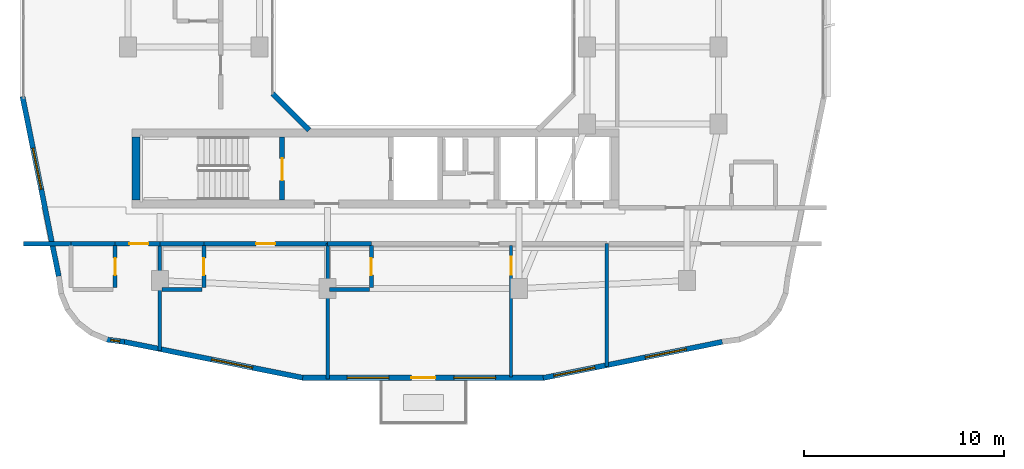
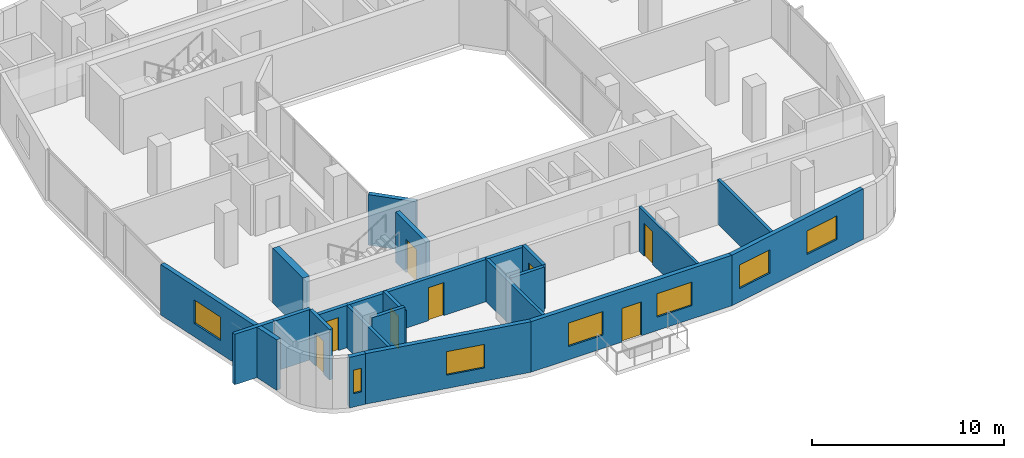
# One storey, part 5 of 13: 23 walls, 8 doors, 7 windows, 15 openings.
"""IFC4 building model written with IfcOpenShell, lengths in metres."""

from ifc_helpers import new_model, si_unit, derived_unit, direction, frame, frame_2d, origin, place, context, subcontext, project, spatial, rectangle, extrude, material, layer, layer_set, type_object, element, fill, save


model = new_model("IFC4")

# Units and contexts
model_context = context("Model", 3, precision=1e-05, world=origin(), true_north=direction((0.0, 1.0)))
body_context = subcontext(model_context, "Body", "Model", "MODEL_VIEW")
ifc_project = project(units=[si_unit("LENGTHUNIT", "METRE"), si_unit("AREAUNIT", "SQUARE_METRE"), si_unit("VOLUMEUNIT", "CUBIC_METRE"), si_unit("PLANEANGLEUNIT", "RADIAN"), si_unit("MASSUNIT", "GRAM", prefix="KILO"), derived_unit("THERMALTRANSMITTANCEUNIT", [(si_unit("POWERUNIT", "WATT"), 1), (si_unit("LENGTHUNIT", "METRE"), -2), (si_unit("THERMODYNAMICTEMPERATUREUNIT", "KELVIN"), -1)])], contexts=[model_context])

# Site, building, storey
site_placement = place(None, origin())
site = spatial("IfcSite", under=ifc_project, at=site_placement, CompositionType="ELEMENT")
building_placement = place(site_placement, origin())
building = spatial("IfcBuilding", under=site, at=building_placement, Name="Kivonza Crest Hotel", CompositionType="ELEMENT")
storey_placement = place(building_placement, frame((0.0, 0.0, 134.5)))
storey = spatial("IfcBuildingStorey", under=building, at=storey_placement, Name="L36", CompositionType="ELEMENT", Elevation=134.5)

# Walls
ifc_material_1 = material(Name="High-density acoustic masonry inter-tenancy wall", Category="masonry")
ifc_layer_1 = layer(ifc_material_1, 0.179931640625)
ifc_layer_set_1 = layer_set([ifc_layer_1], Name="High-density acoustic masonry inter-tenancy wall")
wall_type_1 = type_object("IfcWallType", Name="WL-ACOU-180", PredefinedType="SOLIDWALL", material=ifc_layer_set_1)
wall_1_placement = place(storey_placement, frame((7.800048828125, 6.299072265625, 0.0), z_axis=(0.0, 0.0, 1.0), x_axis=(0.0, 1.0, 0.0)))
element("IfcWall", 1, at=wall_1_placement, inside=storey, type_object=wall_type_1, Name="L36 interior partition WA-L36-T1S-DIV1", PredefinedType="SOLIDWALL", context=body_context, shape_type="SweptSolid", body=[
    extrude(rectangle(XDim=5.350830078125, YDim=0.179931640625, at=frame_2d((2.67529296875, 0.0))), origin(), (0.0, 0.0, 1.0), 2.695068359375),
])
wall_2_placement = place(storey_placement, frame((16.199951171875, 4.860107421875, 0.0), z_axis=(0.0, 0.0, 1.0), x_axis=(0.0, 1.0, 0.0)))
element("IfcWall", 2, at=wall_2_placement, inside=storey, type_object=wall_type_1, Name="L36 interior partition WA-L36-T1S-DIV2", PredefinedType="SOLIDWALL", context=body_context, shape_type="SweptSolid", body=[
    extrude(rectangle(XDim=6.789794921875, YDim=0.179931640625, at=frame_2d((3.39501953125, 0.0))), origin(), (0.0, 0.0, 1.0), 2.695068359375),
])
wall_3_placement = place(storey_placement, frame((30.199951171875, 5.492919921875, 0.0), z_axis=(0.0, 0.0, 1.0), x_axis=(0.0, 1.0, 0.0)))
element("IfcWall", 3, at=wall_3_placement, inside=storey, type_object=wall_type_1, Name="L36 interior partition WA-L36-T1S-DIV3", PredefinedType="SOLIDWALL", context=body_context, shape_type="SweptSolid", body=[
    extrude(rectangle(XDim=6.156982421875, YDim=0.179931640625, at=frame_2d((3.07861328125, 0.0))), origin(), (0.0, 0.0, 1.0), 2.8349609375),
])
ifc_material_2 = material(Name="Autoclaved aerated concrete blockwork", Category="masonry")
ifc_layer_2 = layer(ifc_material_2, 0.219970703125)
ifc_layer_set_2 = layer_set([ifc_layer_2], Name="Autoclaved aerated concrete blockwork")
wall_type_2 = type_object("IfcWallType", Name="WL-ACOU-220", PredefinedType="SOLIDWALL", material=ifc_layer_set_2)
wall_4_placement = place(storey_placement, frame((0.9599609375, 11.64990234375, 0.0), z_axis=(0.0, 0.0, 1.0), x_axis=(1.0, 0.0, 0.0)))
element("IfcWall", 4, at=wall_4_placement, inside=storey, type_object=wall_type_2, Name="L36 interior partition WA-L36-S04-XCORR", PredefinedType="SOLIDWALL", context=body_context, shape_type="SweptSolid", body=[
    extrude(rectangle(XDim=2.39013671875, YDim=0.219970703125, at=frame_2d((1.195068359375, 0.0))), origin(), (0.0, 0.0, 1.0), 3.219970703125),
])
wall_5_placement = place(storey_placement, frame((3.35009765625, 11.64990234375, 0.0), z_axis=(0.0, 0.0, 1.0), x_axis=(1.0, 0.0, 0.0)))
element("IfcWall", 5, at=wall_5_placement, inside=storey, type_object=wall_type_2, Name="L36 interior partition WA-L36-S04-BCORR", PredefinedType="SOLIDWALL", context=body_context, shape_type="SweptSolid", body=[
    extrude(rectangle(XDim=2.199951171875, YDim=0.219970703125, at=frame_2d((1.10009765625, 0.0))), origin(), (0.0, 0.0, 1.0), 3.219970703125),
])

# Wall, opening, door
wall_6_placement = place(storey_placement, frame((5.550048828125, 11.64990234375, 0.0), z_axis=(0.0, 0.0, 1.0), x_axis=(1.0, 0.0, 0.0)))
wall_6 = element("IfcWall", 6, at=wall_6_placement, inside=storey, type_object=wall_type_2, Name="L36 interior partition WA-L36-S04-MCORR", PredefinedType="SOLIDWALL", context=body_context, shape_type="SweptSolid", body=[
    extrude(rectangle(XDim=2.25, YDim=0.219970703125, at=frame_2d((1.125, 0.0))), origin(), (0.0, 0.0, 1.0), 2.695068359375),
])
opening_1_placement = place(wall_6_placement, frame((0.719970703125, 0.0, 0.0)))
opening_1 = element("IfcOpeningElement", 7, at=opening_1_placement, cuts=wall_6, Name="Opening DU-60", PredefinedType="OPENING", context=body_context, shape_type="SweptSolid", body=[
    extrude(rectangle(XDim=0.949951171875, YDim=2.10009765625, at=frame_2d((0.47509765625, 1.050048828125))), frame((0.0, 0.1201171875, 0.0), z_axis=(0.0, -1.0, 0.0), x_axis=(1.0, 0.0, 0.0)), (0.0, 0.0, 1.0), 0.239990234375),
])
ifc_material_3 = material(Name="Hardwood timber oak", Category="wood")
door_type_1 = type_object("IfcDoorType", Name="DR-UNIT-950", OperationType="NOTDEFINED", PredefinedType="DOOR", material=ifc_material_3)
door_1_placement = place(opening_1_placement, frame((0.949951171875, 0.0, 0.0), z_axis=(0.0, 0.0, 1.0), x_axis=(-1.0, 0.0, 0.0)))
door_1 = element("IfcDoor", 8, at=door_1_placement, inside=storey, type_object=door_type_1, Name="L36 S04 guest unit entrance fire door", OperationType="SINGLE_SWING_RIGHT", OverallHeight=2.10009765625, OverallWidth=0.949951171875, PredefinedType="DOOR", context=body_context, shape_type="SweptSolid", body=[
    extrude(rectangle(XDim=0.949951171875, YDim=2.10009765625, at=frame_2d((0.47509765625, 1.050048828125))), frame((0.0, 0.02490234375, 0.0), z_axis=(0.0, -1.0, 0.0), x_axis=(1.0, 0.0, 0.0)), (0.0, 0.0, 1.0), 0.050048828125),
])
fill(opening_1, door_1)

# Wall
wall_7_placement = place(storey_placement, frame((7.800048828125, 11.64990234375, 0.0), z_axis=(0.0, 0.0, 1.0), x_axis=(1.0, 0.0, 0.0)))
element("IfcWall", 9, at=wall_7_placement, inside=storey, type_object=wall_type_2, Name="L36 interior partition WA-L36-S05-BCORR", PredefinedType="SOLIDWALL", context=body_context, shape_type="SweptSolid", body=[
    extrude(rectangle(XDim=2.199951171875, YDim=0.219970703125, at=frame_2d((1.10009765625, 0.0))), origin(), (0.0, 0.0, 1.0), 2.695068359375),
])

# Wall, opening, door
wall_8_placement = place(storey_placement, frame((10.0, 11.64990234375, 0.0), z_axis=(0.0, 0.0, 1.0), x_axis=(1.0, 0.0, 0.0)))
wall_8 = element("IfcWall", 10, at=wall_8_placement, inside=storey, type_object=wall_type_2, Name="L36 interior partition WA-L36-S05-MCORR", PredefinedType="SOLIDWALL", context=body_context, shape_type="SweptSolid", body=[
    extrude(rectangle(XDim=6.199951171875, YDim=0.219970703125, at=frame_2d((3.10009765625, 0.0))), origin(), (0.0, 0.0, 1.0), 2.695068359375),
])
opening_2_placement = place(wall_8_placement, frame((2.625, 0.0, 0.0)))
opening_2 = element("IfcOpeningElement", 11, at=opening_2_placement, cuts=wall_8, Name="Opening DU-60", PredefinedType="OPENING", context=body_context, shape_type="SweptSolid", body=[
    extrude(rectangle(XDim=0.949951171875, YDim=2.10009765625, at=frame_2d((0.47509765625, 1.050048828125))), frame((0.0, 0.1201171875, 0.0), z_axis=(0.0, -1.0, 0.0), x_axis=(1.0, 0.0, 0.0)), (0.0, 0.0, 1.0), 0.239990234375),
])
door_2_placement = place(opening_2_placement, frame((0.949951171875, 0.0, 0.0), z_axis=(0.0, 0.0, 1.0), x_axis=(-1.0, 0.0, 0.0)))
door_2 = element("IfcDoor", 12, at=door_2_placement, inside=storey, type_object=door_type_1, Name="L36 S05 guest unit entrance fire door", OperationType="SINGLE_SWING_LEFT", OverallHeight=2.10009765625, OverallWidth=0.949951171875, PredefinedType="DOOR", context=body_context, shape_type="SweptSolid", body=[
    extrude(rectangle(XDim=0.949951171875, YDim=2.10009765625, at=frame_2d((0.47509765625, 1.050048828125))), frame((0.0, 0.02490234375, 0.0), z_axis=(0.0, -1.0, 0.0), x_axis=(1.0, 0.0, 0.0)), (0.0, 0.0, 1.0), 0.050048828125),
])
fill(opening_2, door_2)

# Walls
wall_9_placement = place(storey_placement, frame((16.199951171875, 11.64990234375, 0.0), z_axis=(0.0, 0.0, 1.0), x_axis=(1.0, 0.0, 0.0)))
element("IfcWall", 13, at=wall_9_placement, inside=storey, type_object=wall_type_2, Name="L36 interior partition WA-L36-S06-BCORR", PredefinedType="SOLIDWALL", context=body_context, shape_type="SweptSolid", body=[
    extrude(rectangle(XDim=2.199951171875, YDim=0.219970703125, at=frame_2d((1.10009765625, 0.0))), origin(), (0.0, 0.0, 1.0), 2.695068359375),
])
ifc_material_4 = material(Name="Concrete C50/60", Category="concrete")
ifc_layer_3 = layer(ifc_material_4, 0.39990234375)
ifc_layer_set_3 = layer_set([ifc_layer_3], Name="Concrete C50/60")
wall_type_3 = type_object("IfcWallType", Name="WL-CORE-400", PredefinedType="SHEAR", material=ifc_layer_set_3)
wall_10_placement = place(storey_placement, frame((6.60009765625, 13.840087890625, 0.0), z_axis=(0.0, 0.0, 1.0), x_axis=(0.0, 1.0, 0.0)))
element("IfcWall", 14, at=wall_10_placement, inside=storey, type_object=wall_type_3, Name="Core wall T1-S West L36", PredefinedType="SHEAR", context=body_context, shape_type="SweptSolid", body=[
    extrude(rectangle(XDim=3.159912109375, YDim=0.39990234375, at=frame_2d((1.580078125, 0.0))), origin(), (0.0, 0.0, 1.0), 3.5),
])

# Wall, opening, window
ifc_material_5 = material(Name="Precast concrete C40/50", Category="concrete")
ifc_layer_4 = layer(ifc_material_5, 0.260009765625)
ifc_layer_set_4 = layer_set([ifc_layer_4], Name="Precast concrete C40/50")
wall_type_4 = type_object("IfcWallType", Name="WL-EXT-260", PredefinedType="STANDARD", material=ifc_layer_set_4)
wall_11_placement = place(storey_placement, frame((5.112060546875, 6.847900390625, 0.0), z_axis=(0.0, 0.0, 1.0), x_axis=(0.991487658083, -0.130200706103, 0.0)))
wall_11 = element("IfcWall", 15, at=wall_11_placement, inside=storey, type_object=wall_type_4, Name="L36 T1 exterior insulated wall 6", PredefinedType="STANDARD", context=body_context, shape_type="SweptSolid", body=[
    extrude(rectangle(XDim=0.920654296875, YDim=0.260009765625, at=frame_2d((0.46044921875, 0.0))), origin(), (0.0, 0.0, 1.0), 3.219970703125),
])
opening_3_placement = place(wall_11_placement, frame((0.235107421875, 0.0, 0.85009765625)))
opening_3 = element("IfcOpeningElement", 16, at=opening_3_placement, cuts=wall_11, Name="Opening WN-11", PredefinedType="OPENING", context=body_context, shape_type="SweptSolid", body=[
    extrude(rectangle(XDim=0.449951171875, YDim=1.5, at=frame_2d((0.22509765625, 0.75))), frame((0.0, 0.14013671875, 0.0), z_axis=(0.0, -1.0, 0.0), x_axis=(1.0, 0.0, 0.0)), (0.0, 0.0, 1.0), 0.280029296875),
])
ifc_material_6 = material(Name="Thermally broken bronze aluminium and low-E double glazing", Category="aluminium")
window_type_1 = type_object("IfcWindowType", Name="WN-045x150", PartitioningType="SINGLE_PANEL", PredefinedType="WINDOW", material=ifc_material_6)
window_1_placement = place(opening_3_placement, origin())
window_1 = element("IfcWindow", 17, at=window_1_placement, inside=storey, type_object=window_type_1, Name="L36 corner vision window 2", OverallHeight=1.5, OverallWidth=0.449951171875, PartitioningType="SINGLE_PANEL", PredefinedType="WINDOW", context=body_context, shape_type="SweptSolid", body=[
    extrude(rectangle(XDim=0.449951171875, YDim=1.5, at=frame_2d((0.22509765625, 0.75))), frame((0.0, 0.030029296875, 0.0), z_axis=(0.0, -1.0, 0.0), x_axis=(1.0, 0.0, 0.0)), (0.0, 0.0, 1.0), 0.06005859375),
])
fill(opening_3, window_1)

wall_12_placement = place(storey_placement, frame((6.01806640625, 6.72900390625, 0.0), z_axis=(0.0, 0.0, 1.0), x_axis=(0.980317172899, -0.197429077186, 0.0)))
wall_12 = element("IfcWall", 18, at=wall_12_placement, inside=storey, type_object=wall_type_4, Name="L36 T1 exterior insulated wall 7", PredefinedType="STANDARD", context=body_context, shape_type="SweptSolid", body=[
    extrude(rectangle(XDim=9.117431640625, YDim=0.260009765625, at=frame_2d((4.55859375, 0.0))), origin(), (0.0, 0.0, 1.0), 3.219970703125),
])
opening_4_placement = place(wall_12_placement, frame((4.455078125, 0.0, 0.85009765625)))
opening_4 = element("IfcOpeningElement", 19, at=opening_4_placement, cuts=wall_12, Name="Opening WN-04", PredefinedType="OPENING", context=body_context, shape_type="SweptSolid", body=[
    extrude(rectangle(XDim=2.10009765625, YDim=1.5, at=frame_2d((1.050048828125, 0.75))), frame((0.0, 0.14013671875, 0.0), z_axis=(0.0, -1.0, 0.0), x_axis=(1.0, 0.0, 0.0)), (0.0, 0.0, 1.0), 0.280029296875),
])
window_type_2 = type_object("IfcWindowType", Name="WN-210x150", PartitioningType="DOUBLE_PANEL_VERTICAL", PredefinedType="WINDOW", material=ifc_material_6)
window_2_placement = place(opening_4_placement, origin())
window_2 = element("IfcWindow", 20, at=window_2_placement, inside=storey, type_object=window_type_2, Name="L36 T1 facade window 7", OverallHeight=1.5, OverallWidth=2.10009765625, PartitioningType="SINGLE_PANEL", PredefinedType="WINDOW", context=body_context, shape_type="SweptSolid", body=[
    extrude(rectangle(XDim=2.10009765625, YDim=1.5, at=frame_2d((1.050048828125, 0.75))), frame((0.0, 0.030029296875, 0.0), z_axis=(0.0, -1.0, 0.0), x_axis=(1.0, 0.0, 0.0)), (0.0, 0.0, 1.0), 0.06005859375),
])
fill(opening_4, window_2)

# Wall, openings, door, windows
wall_13_placement = place(storey_placement, frame((14.9150390625, 4.929931640625, 0.0), z_axis=(0.0, 0.0, 1.0), x_axis=(1.0, 0.0, 0.0)))
wall_13 = element("IfcWall", 21, at=wall_13_placement, inside=storey, type_object=wall_type_4, Name="L36 T1 exterior insulated wall 8", PredefinedType="STANDARD", context=body_context, shape_type="SweptSolid", body=[
    extrude(rectangle(XDim=12.135009765625, YDim=0.260009765625, at=frame_2d((6.0673828125, 0.0))), origin(), (0.0, 0.0, 1.0), 3.219970703125),
])
opening_5_placement = place(wall_13_placement, frame((5.485107421875, 0.0, 0.0)))
opening_5 = element("IfcOpeningElement", 22, at=opening_5_placement, cuts=wall_13, Name="Opening DT-120", PredefinedType="OPENING", context=body_context, shape_type="SweptSolid", body=[
    extrude(rectangle(XDim=1.199951171875, YDim=2.14990234375, at=frame_2d((0.60009765625, 1.074951171875))), frame((0.0, 0.14013671875, 0.0), z_axis=(0.0, -1.0, 0.0), x_axis=(1.0, 0.0, 0.0)), (0.0, 0.0, 1.0), 0.280029296875),
])
opening_6_placement = place(wall_13_placement, frame((2.260009765625, 0.0, 0.85009765625)))
opening_6 = element("IfcOpeningElement", 23, at=opening_6_placement, cuts=wall_13, Name="Opening WN-04", PredefinedType="OPENING", context=body_context, shape_type="SweptSolid", body=[
    extrude(rectangle(XDim=2.10009765625, YDim=1.5, at=frame_2d((1.050048828125, 0.75))), frame((0.0, 0.14013671875, 0.0), z_axis=(0.0, -1.0, 0.0), x_axis=(1.0, 0.0, 0.0)), (0.0, 0.0, 1.0), 0.280029296875),
])
opening_7_placement = place(wall_13_placement, frame((7.610107421875, 0.0, 0.85009765625)))
opening_7 = element("IfcOpeningElement", 24, at=opening_7_placement, cuts=wall_13, Name="Opening WN-04", PredefinedType="OPENING", context=body_context, shape_type="SweptSolid", body=[
    extrude(rectangle(XDim=2.10009765625, YDim=1.5, at=frame_2d((1.050048828125, 0.75))), frame((0.0, 0.14013671875, 0.0), z_axis=(0.0, -1.0, 0.0), x_axis=(1.0, 0.0, 0.0)), (0.0, 0.0, 1.0), 0.280029296875),
])
ifc_material_7 = material(Name="Anodised bronze aluminium and laminated safety glass", Category="aluminium")
door_type_2 = type_object("IfcDoorType", Name="DR-TERR-1200", OperationType="NOTDEFINED", PredefinedType="DOOR", material=ifc_material_7)
door_3_placement = place(opening_5_placement, frame((1.199951171875, 0.0, 0.0), z_axis=(0.0, 0.0, 1.0), x_axis=(-1.0, 0.0, 0.0)))
door_3 = element("IfcDoor", 25, at=door_3_placement, inside=storey, type_object=door_type_2, Name="T1 L36 SW sky-garden bridge access door", OperationType="SINGLE_SWING_LEFT", OverallHeight=2.14990234375, OverallWidth=1.199951171875, PredefinedType="DOOR", context=body_context, shape_type="SweptSolid", body=[
    extrude(rectangle(XDim=1.199951171875, YDim=2.14990234375, at=frame_2d((0.60009765625, 1.074951171875))), frame((0.0, 0.02490234375, 0.0), z_axis=(0.0, -1.0, 0.0), x_axis=(1.0, 0.0, 0.0)), (0.0, 0.0, 1.0), 0.050048828125),
])
fill(opening_5, door_3)
window_3_placement = place(opening_6_placement, origin())
window_3 = element("IfcWindow", 26, at=window_3_placement, inside=storey, type_object=window_type_2, Name="L36 T1 facade window 8 bay 1", OverallHeight=1.5, OverallWidth=2.10009765625, PartitioningType="SINGLE_PANEL", PredefinedType="WINDOW", context=body_context, shape_type="SweptSolid", body=[
    extrude(rectangle(XDim=2.10009765625, YDim=1.5, at=frame_2d((1.050048828125, 0.75))), frame((0.0, 0.030029296875, 0.0), z_axis=(0.0, -1.0, 0.0), x_axis=(1.0, 0.0, 0.0)), (0.0, 0.0, 1.0), 0.06005859375),
])
fill(opening_6, window_3)
window_4_placement = place(opening_7_placement, origin())
window_4 = element("IfcWindow", 27, at=window_4_placement, inside=storey, type_object=window_type_2, Name="L36 T1 facade window 8 bay 2", OverallHeight=1.5, OverallWidth=2.10009765625, PartitioningType="SINGLE_PANEL", PredefinedType="WINDOW", context=body_context, shape_type="SweptSolid", body=[
    extrude(rectangle(XDim=2.10009765625, YDim=1.5, at=frame_2d((1.050048828125, 0.75))), frame((0.0, 0.030029296875, 0.0), z_axis=(0.0, -1.0, 0.0), x_axis=(1.0, 0.0, 0.0)), (0.0, 0.0, 1.0), 0.06005859375),
])
fill(opening_7, window_4)

# Wall, openings, windows
wall_14_placement = place(storey_placement, frame((27.009033203125, 4.922119140625, 0.0), z_axis=(0.0, 0.0, 1.0), x_axis=(0.980321298532, 0.197408590603, 0.0)))
wall_14 = element("IfcWall", 28, at=wall_14_placement, inside=storey, type_object=wall_type_4, Name="L36 T1 exterior insulated wall 9", PredefinedType="STANDARD", context=body_context, shape_type="SweptSolid", body=[
    extrude(rectangle(XDim=9.153076171875, YDim=0.260009765625, at=frame_2d((4.57666015625, 0.0))), origin(), (0.0, 0.0, 1.0), 3.219970703125),
])
opening_8_placement = place(wall_14_placement, frame((0.5400390625, 0.0, 0.85009765625)))
opening_8 = element("IfcOpeningElement", 29, at=opening_8_placement, cuts=wall_14, Name="Opening WN-04", PredefinedType="OPENING", context=body_context, shape_type="SweptSolid", body=[
    extrude(rectangle(XDim=2.10009765625, YDim=1.5, at=frame_2d((1.050048828125, 0.75))), frame((0.0, 0.14013671875, 0.0), z_axis=(0.0, -1.0, 0.0), x_axis=(1.0, 0.0, 0.0)), (0.0, 0.0, 1.0), 0.280029296875),
])
opening_9_placement = place(wall_14_placement, frame((5.216064453125, 0.0, 0.85009765625)))
opening_9 = element("IfcOpeningElement", 30, at=opening_9_placement, cuts=wall_14, Name="Opening WN-04", PredefinedType="OPENING", context=body_context, shape_type="SweptSolid", body=[
    extrude(rectangle(XDim=2.10009765625, YDim=1.5, at=frame_2d((1.050048828125, 0.75))), frame((0.0, 0.14013671875, 0.0), z_axis=(0.0, -1.0, 0.0), x_axis=(1.0, 0.0, 0.0)), (0.0, 0.0, 1.0), 0.280029296875),
])
window_5_placement = place(opening_8_placement, origin())
window_5 = element("IfcWindow", 31, at=window_5_placement, inside=storey, type_object=window_type_2, Name="L36 T1 facade window 9 bay 1", OverallHeight=1.5, OverallWidth=2.10009765625, PartitioningType="SINGLE_PANEL", PredefinedType="WINDOW", context=body_context, shape_type="SweptSolid", body=[
    extrude(rectangle(XDim=2.10009765625, YDim=1.5, at=frame_2d((1.050048828125, 0.75))), frame((0.0, 0.030029296875, 0.0), z_axis=(0.0, -1.0, 0.0), x_axis=(1.0, 0.0, 0.0)), (0.0, 0.0, 1.0), 0.06005859375),
])
fill(opening_8, window_5)
window_6_placement = place(opening_9_placement, origin())
window_6 = element("IfcWindow", 32, at=window_6_placement, inside=storey, type_object=window_type_2, Name="L36 T1 facade window 9 bay 2", OverallHeight=1.5, OverallWidth=2.10009765625, PartitioningType="SINGLE_PANEL", PredefinedType="WINDOW", context=body_context, shape_type="SweptSolid", body=[
    extrude(rectangle(XDim=2.10009765625, YDim=1.5, at=frame_2d((1.050048828125, 0.75))), frame((0.0, 0.030029296875, 0.0), z_axis=(0.0, -1.0, 0.0), x_axis=(1.0, 0.0, 0.0)), (0.0, 0.0, 1.0), 0.06005859375),
])
fill(opening_9, window_6)

# Wall, opening, window
wall_15_placement = place(storey_placement, frame((0.916015625, 19.02001953125, 0.0), z_axis=(0.0, 0.0, 1.0), x_axis=(0.197435082048, -0.980315963543, 0.0)))
wall_15 = element("IfcWall", 33, at=wall_15_placement, inside=storey, type_object=wall_type_4, Name="L36 T1 exterior insulated wall 36", PredefinedType="STANDARD", context=body_context, shape_type="SweptSolid", body=[
    extrude(rectangle(XDim=9.1826171875, YDim=0.260009765625, at=frame_2d((4.59130859375, 0.0))), origin(), (0.0, 0.0, 1.0), 3.219970703125),
])
opening_10_placement = place(wall_15_placement, frame((2.64697265625, 0.0, 0.85009765625)))
opening_10 = element("IfcOpeningElement", 34, at=opening_10_placement, cuts=wall_15, Name="Opening WN-04", PredefinedType="OPENING", context=body_context, shape_type="SweptSolid", body=[
    extrude(rectangle(XDim=2.10009765625, YDim=1.5, at=frame_2d((1.050048828125, 0.75))), frame((0.0, 0.14013671875, 0.0), z_axis=(0.0, -1.0, 0.0), x_axis=(1.0, 0.0, 0.0)), (0.0, 0.0, 1.0), 0.280029296875),
])
window_7_placement = place(opening_10_placement, origin())
window_7 = element("IfcWindow", 35, at=window_7_placement, inside=storey, type_object=window_type_2, Name="L36 T1 facade window 36", OverallHeight=1.5, OverallWidth=2.10009765625, PartitioningType="SINGLE_PANEL", PredefinedType="WINDOW", context=body_context, shape_type="SweptSolid", body=[
    extrude(rectangle(XDim=2.10009765625, YDim=1.5, at=frame_2d((1.050048828125, 0.75))), frame((0.0, 0.030029296875, 0.0), z_axis=(0.0, -1.0, 0.0), x_axis=(1.0, 0.0, 0.0)), (0.0, 0.0, 1.0), 0.06005859375),
])
fill(opening_10, window_7)

# Wall
wall_16_placement = place(storey_placement, frame((13.444091796875, 19.172119140625, 0.0), z_axis=(0.0, 0.0, 1.0), x_axis=(0.707059717605, -0.707153841636, 0.0)))
element("IfcWall", 36, at=wall_16_placement, inside=storey, type_object=wall_type_4, Name="L36 T1 light-well exterior wall 8", PredefinedType="STANDARD", context=body_context, shape_type="SweptSolid", body=[
    extrude(rectangle(XDim=2.59375, YDim=0.260009765625, at=frame_2d((1.296875, 0.0))), origin(), (0.0, 0.0, 1.0), 3.219970703125),
])

# Wall, opening, door
ifc_material_8 = material(Name="Twin-stud acoustic gypsum board partition", Category="gypsum")
ifc_layer_5 = layer(ifc_material_8, 0.14990234375)
ifc_layer_set_5 = layer_set([ifc_layer_5], Name="Twin-stud acoustic gypsum board partition")
wall_type_5 = type_object("IfcWallType", Name="WL-PART-150", PredefinedType="PARTITIONING", material=ifc_layer_set_5)
wall_17_placement = place(storey_placement, frame((25.39990234375, 4.9599609375, 0.0), z_axis=(0.0, 0.0, 1.0), x_axis=(0.0, 1.0, 0.0)))
wall_17 = element("IfcWall", 37, at=wall_17_placement, inside=storey, type_object=wall_type_5, Name="L36 interior partition WP-L36-S06-SPSP", PredefinedType="PARTITIONING", context=body_context, shape_type="SweptSolid", body=[
    extrude(rectangle(XDim=6.590087890625, YDim=0.14990234375, at=frame_2d((3.294921875, 0.0))), origin(), (0.0, 0.0, 1.0), 2.8349609375),
])
opening_11_placement = place(wall_17_placement, frame((5.139892578125, 0.0, 0.0)))
opening_11 = element("IfcOpeningElement", 38, at=opening_11_placement, cuts=wall_17, Name="Opening DI-90", PredefinedType="OPENING", context=body_context, shape_type="SweptSolid", body=[
    extrude(rectangle(XDim=0.89990234375, YDim=2.10009765625, at=frame_2d((0.449951171875, 1.050048828125))), frame((0.0, 0.0849609375, 0.0), z_axis=(0.0, -1.0, 0.0), x_axis=(1.0, 0.0, 0.0)), (0.0, 0.0, 1.0), 0.169921875),
])
door_type_3 = type_object("IfcDoorType", Name="DR-INT-900", OperationType="NOTDEFINED", PredefinedType="DOOR", material=ifc_material_3)
door_4_placement = place(opening_11_placement, origin())
door_4 = element("IfcDoor", 39, at=door_4_placement, inside=storey, type_object=door_type_3, Name="L36 S06 suite bedroom door", OperationType="SINGLE_SWING_LEFT", OverallHeight=2.10009765625, OverallWidth=0.89990234375, PredefinedType="DOOR", context=body_context, shape_type="SweptSolid", body=[
    extrude(rectangle(XDim=0.89990234375, YDim=2.10009765625, at=frame_2d((0.449951171875, 1.050048828125))), frame((0.0, 0.02490234375, 0.0), z_axis=(0.0, -1.0, 0.0), x_axis=(1.0, 0.0, 0.0)), (0.0, 0.0, 1.0), 0.050048828125),
])
fill(opening_11, door_4)

ifc_material_9 = material(Name="Moisture-resistant plumbing chase partition wall", Category="gypsum")
ifc_layer_6 = layer(ifc_material_9, 0.199951171875)
ifc_layer_set_6 = layer_set([ifc_layer_6], Name="Moisture-resistant plumbing chase partition wall")
wall_type_6 = type_object("IfcWallType", Name="WL-PLUMB-200", PredefinedType="PLUMBINGWALL", material=ifc_layer_set_6)
wall_18_placement = place(storey_placement, frame((5.550048828125, 9.449951171875, 0.0), z_axis=(0.0, 0.0, 1.0), x_axis=(0.0, 1.0, 0.0)))
wall_18 = element("IfcWall", 40, at=wall_18_placement, inside=storey, type_object=wall_type_6, Name="L36 interior partition WW-L36-S04-BV", PredefinedType="PLUMBINGWALL", context=body_context, shape_type="SweptSolid", body=[
    extrude(rectangle(XDim=2.10009765625, YDim=0.199951171875, at=frame_2d((1.050048828125, 0.0))), origin(), (0.0, 0.0, 1.0), 3.219970703125),
])
opening_12_placement = place(wall_18_placement, frame((0.625, 0.0, 0.0)))
opening_12 = element("IfcOpeningElement", 41, at=opening_12_placement, cuts=wall_18, Name="Opening DI-85", PredefinedType="OPENING", context=body_context, shape_type="SweptSolid", body=[
    extrude(rectangle(XDim=0.85009765625, YDim=2.10009765625, at=frame_2d((0.425048828125, 1.050048828125))), frame((0.0, 0.10986328125, 0.0), z_axis=(0.0, -1.0, 0.0), x_axis=(1.0, 0.0, 0.0)), (0.0, 0.0, 1.0), 0.219970703125),
])
door_type_4 = type_object("IfcDoorType", Name="DR-INT-850", OperationType="NOTDEFINED", PredefinedType="DOOR", material=ifc_material_3)
door_5_placement = place(opening_12_placement, frame((0.85009765625, 0.0, 0.0), z_axis=(0.0, 0.0, 1.0), x_axis=(-1.0, 0.0, 0.0)))
door_5 = element("IfcDoor", 42, at=door_5_placement, inside=storey, type_object=door_type_4, Name="L36 S04 en-suite bathroom door", OperationType="SINGLE_SWING_LEFT", OverallHeight=2.10009765625, OverallWidth=0.85009765625, PredefinedType="DOOR", context=body_context, shape_type="SweptSolid", body=[
    extrude(rectangle(XDim=0.85009765625, YDim=2.10009765625, at=frame_2d((0.425048828125, 1.050048828125))), frame((0.0, 0.02490234375, 0.0), z_axis=(0.0, -1.0, 0.0), x_axis=(1.0, 0.0, 0.0)), (0.0, 0.0, 1.0), 0.050048828125),
])
fill(opening_12, door_5)

wall_19_placement = place(storey_placement, frame((10.0, 9.449951171875, 0.0), z_axis=(0.0, 0.0, 1.0), x_axis=(0.0, 1.0, 0.0)))
wall_19 = element("IfcWall", 43, at=wall_19_placement, inside=storey, type_object=wall_type_6, Name="L36 interior partition WW-L36-S05-BV", PredefinedType="PLUMBINGWALL", context=body_context, shape_type="SweptSolid", body=[
    extrude(rectangle(XDim=2.10009765625, YDim=0.199951171875, at=frame_2d((1.050048828125, 0.0))), origin(), (0.0, 0.0, 1.0), 2.8349609375),
])
opening_13_placement = place(wall_19_placement, frame((0.625, 0.0, 0.0)))
opening_13 = element("IfcOpeningElement", 44, at=opening_13_placement, cuts=wall_19, Name="Opening DI-85", PredefinedType="OPENING", context=body_context, shape_type="SweptSolid", body=[
    extrude(rectangle(XDim=0.85009765625, YDim=2.10009765625, at=frame_2d((0.425048828125, 1.050048828125))), frame((0.0, 0.10986328125, 0.0), z_axis=(0.0, -1.0, 0.0), x_axis=(1.0, 0.0, 0.0)), (0.0, 0.0, 1.0), 0.219970703125),
])
door_6_placement = place(opening_13_placement, frame((0.85009765625, 0.0, 0.0), z_axis=(0.0, 0.0, 1.0), x_axis=(-1.0, 0.0, 0.0)))
door_6 = element("IfcDoor", 45, at=door_6_placement, inside=storey, type_object=door_type_4, Name="L36 S05 en-suite bathroom door", OperationType="SINGLE_SWING_RIGHT", OverallHeight=2.10009765625, OverallWidth=0.85009765625, PredefinedType="DOOR", context=body_context, shape_type="SweptSolid", body=[
    extrude(rectangle(XDim=0.85009765625, YDim=2.10009765625, at=frame_2d((0.425048828125, 1.050048828125))), frame((0.0, 0.02490234375, 0.0), z_axis=(0.0, -1.0, 0.0), x_axis=(1.0, 0.0, 0.0)), (0.0, 0.0, 1.0), 0.050048828125),
])
fill(opening_13, door_6)

# Wall
wall_20_placement = place(storey_placement, frame((7.89990234375, 9.35009765625, 0.0), z_axis=(0.0, 0.0, 1.0), x_axis=(1.0, 0.0, 0.0)))
element("IfcWall", 46, at=wall_20_placement, inside=storey, type_object=wall_type_6, Name="L36 interior partition WW-L36-S05-BH", PredefinedType="PLUMBINGWALL", context=body_context, shape_type="SweptSolid", body=[
    extrude(rectangle(XDim=2.0, YDim=0.199951171875, at=frame_2d((1.0, 0.0))), origin(), (0.0, 0.0, 1.0), 3.219970703125),
])

# Wall, opening, door
wall_21_placement = place(storey_placement, frame((18.39990234375, 9.449951171875, 0.0), z_axis=(0.0, 0.0, 1.0), x_axis=(0.0, 1.0, 0.0)))
wall_21 = element("IfcWall", 47, at=wall_21_placement, inside=storey, type_object=wall_type_6, Name="L36 interior partition WW-L36-S06-BV", PredefinedType="PLUMBINGWALL", context=body_context, shape_type="SweptSolid", body=[
    extrude(rectangle(XDim=2.10009765625, YDim=0.199951171875, at=frame_2d((1.050048828125, 0.0))), origin(), (0.0, 0.0, 1.0), 2.8349609375),
])
opening_14_placement = place(wall_21_placement, frame((0.625, 0.0, 0.0)))
opening_14 = element("IfcOpeningElement", 48, at=opening_14_placement, cuts=wall_21, Name="Opening DI-85", PredefinedType="OPENING", context=body_context, shape_type="SweptSolid", body=[
    extrude(rectangle(XDim=0.85009765625, YDim=2.10009765625, at=frame_2d((0.425048828125, 1.050048828125))), frame((0.0, 0.10986328125, 0.0), z_axis=(0.0, -1.0, 0.0), x_axis=(1.0, 0.0, 0.0)), (0.0, 0.0, 1.0), 0.219970703125),
])
door_7_placement = place(opening_14_placement, frame((0.85009765625, 0.0, 0.0), z_axis=(0.0, 0.0, 1.0), x_axis=(-1.0, 0.0, 0.0)))
door_7 = element("IfcDoor", 49, at=door_7_placement, inside=storey, type_object=door_type_4, Name="L36 S06 en-suite bathroom door", OperationType="SINGLE_SWING_LEFT", OverallHeight=2.10009765625, OverallWidth=0.85009765625, PredefinedType="DOOR", context=body_context, shape_type="SweptSolid", body=[
    extrude(rectangle(XDim=0.85009765625, YDim=2.10009765625, at=frame_2d((0.425048828125, 1.050048828125))), frame((0.0, 0.02490234375, 0.0), z_axis=(0.0, -1.0, 0.0), x_axis=(1.0, 0.0, 0.0)), (0.0, 0.0, 1.0), 0.050048828125),
])
fill(opening_14, door_7)

# Wall
wall_22_placement = place(storey_placement, frame((16.300048828125, 9.35009765625, 0.0), z_axis=(0.0, 0.0, 1.0), x_axis=(1.0, 0.0, 0.0)))
element("IfcWall", 50, at=wall_22_placement, inside=storey, type_object=wall_type_6, Name="L36 interior partition WW-L36-S06-BH", PredefinedType="PLUMBINGWALL", context=body_context, shape_type="SweptSolid", body=[
    extrude(rectangle(XDim=2.0, YDim=0.199951171875, at=frame_2d((1.0, 0.0))), origin(), (0.0, 0.0, 1.0), 2.8349609375),
])

# Wall, opening, door
ifc_layer_7 = layer(ifc_material_4, 0.25)
ifc_layer_set_7 = layer_set([ifc_layer_7], Name="Concrete C50/60")
wall_type_7 = type_object("IfcWallType", Name="WL-SHAFT-250", PredefinedType="STANDARD", material=ifc_layer_set_7)
wall_23_placement = place(storey_placement, frame((13.925048828125, 13.840087890625, 0.0), z_axis=(0.0, 0.0, 1.0), x_axis=(0.0, 1.0, 0.0)))
wall_23 = element("IfcWall", 51, at=wall_23_placement, inside=storey, type_object=wall_type_7, Name="Core shaft wall T1-S STAIR L36", PredefinedType="STANDARD", context=body_context, shape_type="SweptSolid", body=[
    extrude(rectangle(XDim=3.159912109375, YDim=0.25, at=frame_2d((1.580078125, 0.0))), origin(), (0.0, 0.0, 1.0), 3.219970703125),
])
opening_15_placement = place(wall_23_placement, frame((0.97998046875, 0.0, 0.0)))
opening_15 = element("IfcOpeningElement", 52, at=opening_15_placement, cuts=wall_23, Name="Opening DF-120", PredefinedType="OPENING", context=body_context, shape_type="SweptSolid", body=[
    extrude(rectangle(XDim=1.10009765625, YDim=2.14990234375, at=frame_2d((0.550048828125, 1.074951171875))), frame((0.0, 0.135009765625, 0.0), z_axis=(0.0, -1.0, 0.0), x_axis=(1.0, 0.0, 0.0)), (0.0, 0.0, 1.0), 0.27001953125),
])
ifc_material_10 = material(Name="Galvanised steel", Category="steel")
door_type_5 = type_object("IfcDoorType", Name="DR-FD120-1100", OperationType="NOTDEFINED", PredefinedType="DOOR", material=ifc_material_10)
door_8_placement = place(opening_15_placement, frame((1.10009765625, 0.0, 0.0), z_axis=(0.0, 0.0, 1.0), x_axis=(-1.0, 0.0, 0.0)))
door_8 = element("IfcDoor", 53, at=door_8_placement, inside=storey, type_object=door_type_5, Name="L36 T1-S stair fire door", OperationType="SINGLE_SWING_RIGHT", OverallHeight=2.14990234375, OverallWidth=1.10009765625, PredefinedType="DOOR", context=body_context, shape_type="SweptSolid", body=[
    extrude(rectangle(XDim=1.10009765625, YDim=2.14990234375, at=frame_2d((0.550048828125, 1.074951171875))), frame((0.0, 0.02490234375, 0.0), z_axis=(0.0, -1.0, 0.0), x_axis=(1.0, 0.0, 0.0)), (0.0, 0.0, 1.0), 0.050048828125),
])
fill(opening_15, door_8)

save(model, "model.ifc")
